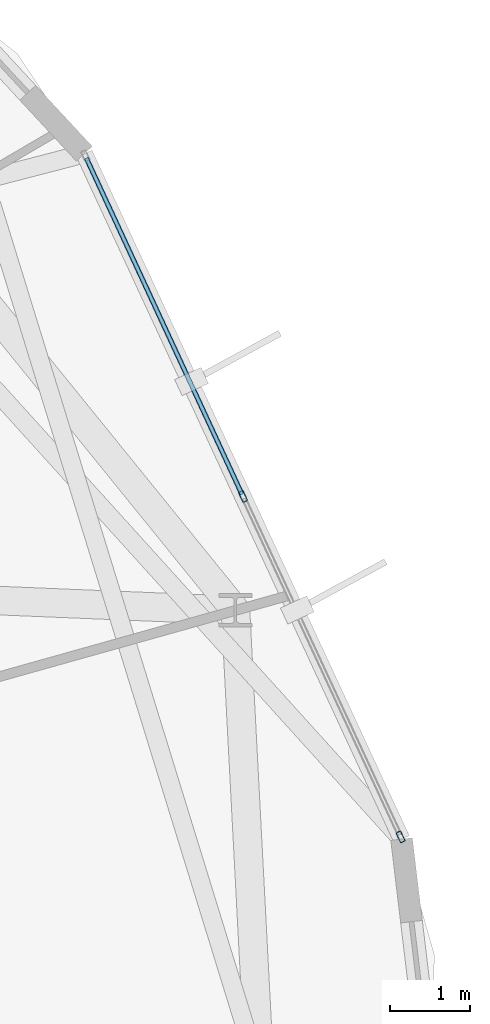
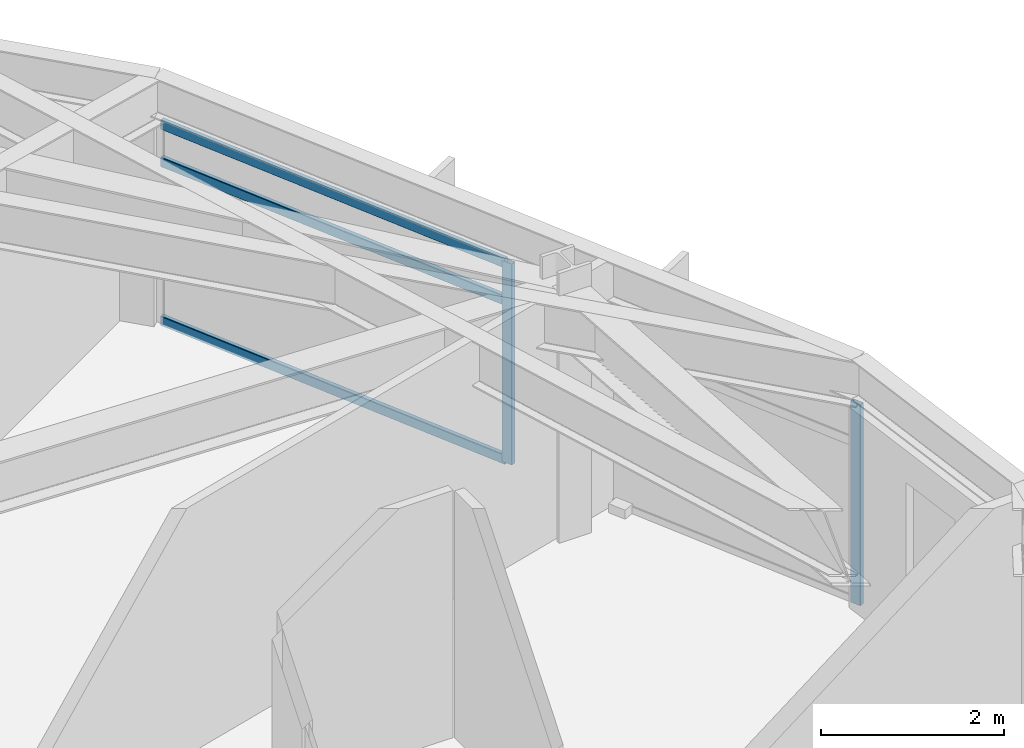
# One storey, part 11 of 25: 5 members, 1 element without a shape of its own.
"""IFC4 building model written with IfcOpenShell, lengths in metres."""

import ifcopenshell
import ifcopenshell.guid

model = None  # the IFC model being written
_history = None  # IfcOwnerHistory: only IFC2X3 demands one
_inside = {}  # id of a spatial element -> (the spatial element, [elements in it])
_under = {}  # id of a project, library or spatial element -> (it, [spatial elements below it])
_declared = {}  # id of a project -> (the project, [libraries it declares])
_typed = {}  # id of a type object -> (the type object, [elements of that type])
_made_of = {}  # id of a material, layer set ... -> (it, [elements and type objects made of it])


def new_model(schema):
    """Start an empty IFC model of exactly this schema.

    Asked for "IFC4X3", IfcOpenShell would pick the latest addendum, in which some entities
    have other attributes; the version numbers below select the first issue.
    IFC2X3 requires an IfcOwnerHistory on every rooted entity: one is made here for all.
    """
    global model, _history
    if schema == "IFC4X3":
        model = ifcopenshell.file(schema_version=(4, 3, 0, 0))
    else:
        model = ifcopenshell.file(schema=schema)
    _inside.clear()
    _under.clear()
    _declared.clear()
    _typed.clear()
    _made_of.clear()
    _history = None
    if model.schema == "IFC2X3":
        org = make("IfcOrganization", Name="unknown")
        user = make(
            "IfcPersonAndOrganization",
            ThePerson=make("IfcPerson", FamilyName="unknown"),
            TheOrganization=org,
        )
        app = make(
            "IfcApplication",
            ApplicationDeveloper=org,
            Version="unknown",
            ApplicationFullName="unknown",
            ApplicationIdentifier="unknown",
        )
        _history = make(
            "IfcOwnerHistory",
            OwningUser=user,
            OwningApplication=app,
            ChangeAction="ADDED",
            CreationDate=0,
        )
    return model


def make(cls, **values):
    """One entity of the class cls with the attributes given. An attribute that is None is left unset."""
    return model.create_entity(
        cls, **{name: value for name, value in values.items() if value is not None}
    )


def rooted(cls, **values):
    """An entity with a GlobalId (a new one), such as an element, a storey or a relation."""
    return make(cls, GlobalId=ifcopenshell.guid.new(), OwnerHistory=_history, **values)


def si_unit(unit_type, name, prefix=None):
    """IfcSIUnit, for example si_unit("LENGTHUNIT", "METRE", prefix="MILLI")."""
    return make("IfcSIUnit", UnitType=unit_type, Prefix=prefix, Name=name)


def assignment(units):
    """IfcUnitAssignment: the units of a project."""
    return None if units is None else make("IfcUnitAssignment", Units=units)


def point(xyz):
    """IfcCartesianPoint."""
    return None if xyz is None else make("IfcCartesianPoint", Coordinates=xyz)


def direction(xyz):
    """IfcDirection."""
    return None if xyz is None else make("IfcDirection", DirectionRatios=xyz)


def frame(location, z_axis=None, x_axis=None):
    """IfcAxis2Placement3D, a coordinate frame: its origin and axes. An axis left out is left unset."""
    return make(
        "IfcAxis2Placement3D",
        Location=point(location),
        Axis=direction(z_axis),
        RefDirection=direction(x_axis),
    )


def frame_2d(location, x_axis=None):
    """IfcAxis2Placement2D, a coordinate frame in the plane: its origin and x axis."""
    return make(
        "IfcAxis2Placement2D", Location=point(location), RefDirection=direction(x_axis)
    )


def origin():
    """The frame at (0, 0, 0) with its axes left unset."""
    return frame((0.0, 0.0, 0.0))


def origin_2d():
    """The frame at (0, 0) in the plane with its x axis left unset."""
    return frame_2d((0.0, 0.0))


def place(relative_to, where):
    """IfcLocalPlacement: puts the frame where relative to a parent placement (None: the world)."""
    return make(
        "IfcLocalPlacement", PlacementRelTo=relative_to, RelativePlacement=where
    )


def context(
    kind, dimensions, precision=None, world=None, true_north=None, identifier=None
):
    """IfcGeometricRepresentationContext, for example the 3D "Model" context."""
    return make(
        "IfcGeometricRepresentationContext",
        ContextIdentifier=identifier,
        ContextType=kind,
        CoordinateSpaceDimension=dimensions,
        Precision=precision,
        WorldCoordinateSystem=world,
        TrueNorth=true_north,
    )


def subcontext(parent, identifier, kind, view, scale=None):
    """IfcGeometricRepresentationSubContext, for example "Body" below "Model"."""
    return make(
        "IfcGeometricRepresentationSubContext",
        ContextIdentifier=identifier,
        ContextType=kind,
        ParentContext=parent,
        TargetScale=scale,
        TargetView=view,
    )


def project(units=None, contexts=None):
    """IfcProject with its units and contexts."""
    return rooted(
        "IfcProject",
        Name="project",
        RepresentationContexts=contexts,
        UnitsInContext=assignment(units),
    )


def spatial(cls, under=None, at=None, **own):
    """A site, building, storey or space (cls), placed at a placement, below another one or the project."""
    s = rooted(cls, ObjectPlacement=at, **own)
    if under is not None:
        _under.setdefault(under.id(), (under, []))[1].append(s)
    return s


def profile(cls, at=None, kind="AREA", **sizes):
    """A parametric profile (cls). Its sizes go by their IFC names, for example OverallWidth=200.0."""
    return make(cls, ProfileType=kind, Position=at, **sizes)


def hollow_rectangle(**sizes):
    """IfcRectangleHollowProfileDef."""
    return profile("IfcRectangleHollowProfileDef", **sizes)


def extrude(swept, where, along, depth):
    """IfcExtrudedAreaSolid: the profile swept, set in the frame where, extruded along a direction by depth."""
    return make(
        "IfcExtrudedAreaSolid",
        SweptArea=swept,
        Position=where,
        ExtrudedDirection=direction(along),
        Depth=depth,
    )


def shape(context_of_items, identifier, shape_type, items):
    """IfcShapeRepresentation: the items that make up one representation, for example the "Body"."""
    return make(
        "IfcShapeRepresentation",
        ContextOfItems=context_of_items,
        RepresentationIdentifier=identifier,
        RepresentationType=shape_type,
        Items=items,
    )


def material(Name=None, Category=None):
    """IfcMaterial."""
    return make("IfcMaterial", Name=Name, Category=Category)


def layer(
    of_material, thickness, ventilated=None, Name=None, Category=None, Priority=None
):
    """IfcMaterialLayer: one layer of a wall or slab, of a material (None: an air gap)."""
    return make(
        "IfcMaterialLayer",
        Material=of_material,
        LayerThickness=thickness,
        IsVentilated=ventilated,
        Name=Name,
        Category=Category,
        Priority=Priority,
    )


def layer_set(layers, Name=None):
    """IfcMaterialLayerSet."""
    return make("IfcMaterialLayerSet", MaterialLayers=layers, LayerSetName=Name)


def material_profile(
    of_material, cross_section, Name=None, Category=None, Priority=None
):
    """IfcMaterialProfile: a cross section and its material."""
    return make(
        "IfcMaterialProfile",
        Name=Name,
        Material=of_material,
        Profile=cross_section,
        Priority=Priority,
        Category=Category,
    )


def profile_set(profiles, Name=None, composite=None):
    """IfcMaterialProfileSet."""
    return make(
        "IfcMaterialProfileSet",
        Name=Name,
        MaterialProfiles=profiles,
        CompositeProfile=composite,
    )


def made_of(thing, what):
    """Note that an element or type object is made of a material, layer set ...; save() writes the relation."""
    if what is not None:
        _made_of.setdefault(what.id(), (what, []))[1].append(thing)
    return thing


def type_object(cls, material=None, **own):
    """A type object (cls), such as IfcWallType, which elements share."""
    return made_of(rooted(cls, **own), material)


def element(
    cls,
    number,
    at=None,
    inside=None,
    cuts=None,
    type_object=None,
    material=None,
    context=None,
    identifier="Body",
    shape_type=None,
    held_by="IfcProductDefinitionShape",
    body=None,
    shapes=None,
    **own,
):
    """One element of the class cls, such as IfcWall. Its Tag is "e" and its number.

    at: its placement. inside: the storey or other place that contains it. cuts: it is an
    opening in that element (IfcRelVoidsElement). A single representation is given by context,
    identifier, shape_type and body (its items); several are given by shapes. held_by: the class
    of the entity that holds the representations. save() writes the other relations.
    """
    e = rooted(cls, Tag="e%d" % number, ObjectPlacement=at, **own)
    if body is not None:
        shapes = [shape(context, identifier, shape_type, body)]
    if shapes is not None:
        e.Representation = make(held_by, Representations=shapes)
    if inside is not None:
        _inside.setdefault(inside.id(), (inside, []))[1].append(e)
    if cuts is not None:
        rooted(
            "IfcRelVoidsElement", RelatingBuildingElement=cuts, RelatedOpeningElement=e
        )
    if type_object is not None:
        _typed.setdefault(type_object.id(), (type_object, []))[1].append(e)
    return made_of(e, material)


def aggregate(whole, parts):
    """IfcRelAggregates: a whole, such as a stair, and the parts it consists of."""
    return rooted("IfcRelAggregates", RelatingObject=whole, RelatedObjects=parts)


def save(model, path):
    """Write the relations noted so far, then the file.

    IfcRelAggregates (storeys below a building ...), IfcRelContainedInSpatialStructure (elements
    in a storey), IfcRelDefinesByType, IfcRelAssociatesMaterial and IfcRelDeclares: one each for
    every whole, place, type object, material and project.
    """
    for whole, parts in _under.values():
        aggregate(whole, parts)
    for where, things in _inside.values():
        rooted(
            "IfcRelContainedInSpatialStructure",
            RelatedElements=things,
            RelatingStructure=where,
        )
    for kind, things in _typed.values():
        rooted("IfcRelDefinesByType", RelatedObjects=things, RelatingType=kind)
    for what, things in _made_of.values():
        rooted("IfcRelAssociatesMaterial", RelatedObjects=things, RelatingMaterial=what)
    for by, libraries in _declared.values():
        rooted("IfcRelDeclares", RelatingContext=by, RelatedDefinitions=libraries)
    model.write(path)


model = new_model("IFC4")

# Units and contexts
model_context = context("Model", 3, precision=1e-05, world=origin(), true_north=direction((0.0, 1.0)))
body_context = subcontext(model_context, "Body", "Model", "MODEL_VIEW")
ifc_project = project(units=[si_unit("LENGTHUNIT", "METRE"), si_unit("AREAUNIT", "SQUARE_METRE"), si_unit("VOLUMEUNIT", "CUBIC_METRE"), si_unit("PLANEANGLEUNIT", "RADIAN"), si_unit("MASSUNIT", "GRAM", prefix="KILO")], contexts=[model_context])

# Site, building, storey
site_placement = place(None, origin())
site = spatial("IfcSite", under=ifc_project, at=site_placement, CompositionType="ELEMENT")
building_placement = place(site_placement, origin())
building = spatial("IfcBuilding", under=site, at=building_placement, Name="Soratama Intermodal Tower", CompositionType="ELEMENT")
storey_placement = place(building_placement, frame((0.0, 0.0, 190.60009765625)))
storey = spatial("IfcBuildingStorey", under=building, at=storey_placement, Name="L47", CompositionType="ELEMENT", Elevation=190.60009765625)

# Curtain wall, members
ifc_material_1 = material(Name="Double-glazed aluminium curtain wall", Category="aluminium")
ifc_layer = layer(ifc_material_1, 0.159912109375)
ifc_layer_set = layer_set([ifc_layer], Name="Double-glazed aluminium curtain wall")
curtain_wall_type = type_object("IfcCurtainWallType", Name="CW-SYS-5", PredefinedType="NOTDEFINED", material=ifc_layer_set)
curtain_wall_placement = place(storey_placement, origin())
curtain_wall = element("IfcCurtainWall", 1, at=curtain_wall_placement, inside=storey, type_object=curtain_wall_type, Name="L47 Faceted Curtain Wall F10", PredefinedType="NOTDEFINED")
ifc_material_2 = material(Name="Anodised aluminium AA 6063-T6", Category="aluminium")
ifc_material_profile_1 = material_profile(ifc_material_2, hollow_rectangle(XDim=0.06494140625, YDim=0.139892578125, WallThickness=0.0048828125, InnerFilletRadius=0.0048828125, OuterFilletRadius=0.010009765625, at=origin_2d()), Name="CWM140X65X5")
ifc_profile_set_1 = profile_set([ifc_material_profile_1], Name="Anodised aluminium AA 6063-T6")
member_type_1 = type_object("IfcMemberType", Name="MT-CWM-5", PredefinedType="MULLION", material=ifc_profile_set_1)
member_1_placement = place(storey_placement, frame((64.416015625, 28.8515625, 0.0), z_axis=(0.0, 0.0, 1.0), x_axis=(-0.907481505126, -0.42009203498, 0.0)))
member_1 = element("IfcMember", 2, at=member_1_placement, type_object=member_type_1, Name="CW-5 mullion 1", PredefinedType="MULLION", context=body_context, shape_type="SweptSolid", body=[
    extrude(hollow_rectangle(XDim=0.06494140625, YDim=0.139892578125, WallThickness=0.0048828125, InnerFilletRadius=0.0048828125, OuterFilletRadius=0.010009765625, at=origin_2d()), origin(), (0.0, 0.0, 1.0), 2.678955078125),
])
member_2_placement = place(storey_placement, frame((62.4580078125, 33.08154296875, 0.0), z_axis=(0.0, 0.0, 1.0), x_axis=(-0.907481505126, -0.42009203498, 0.0)))
member_2 = element("IfcMember", 3, at=member_2_placement, type_object=member_type_1, Name="CW-5 mullion 2", PredefinedType="MULLION", context=body_context, shape_type="SweptSolid", body=[
    extrude(hollow_rectangle(XDim=0.06494140625, YDim=0.139892578125, WallThickness=0.0048828125, InnerFilletRadius=0.0048828125, OuterFilletRadius=0.010009765625, at=origin_2d()), origin(), (0.0, 0.0, 1.0), 2.678955078125),
])
ifc_material_3 = material(Name="Anodised aluminium AA 6063-T6", Category="aluminium")
ifc_material_profile_2 = material_profile(ifc_material_3, hollow_rectangle(XDim=0.06005859375, YDim=0.1298828125, WallThickness=0.0048828125, InnerFilletRadius=0.0048828125, OuterFilletRadius=0.010009765625, at=origin_2d()), Name="CWT130X60X5")
ifc_profile_set_2 = profile_set([ifc_material_profile_2], Name="Anodised aluminium AA 6063-T6")
member_type_2 = type_object("IfcMemberType", Name="TT-CWT-2", PredefinedType="USERDEFINED", material=ifc_profile_set_2)
member_3_placement = place(storey_placement, frame((62.4453125, 33.108642578125, 0.02978515625), z_axis=(-0.42007744522, 0.907488258887, 0.0), x_axis=(-0.907488258887, -0.42007744522, 0.0)))
member_3 = element("IfcMember", 4, at=member_3_placement, type_object=member_type_2, Name="CW-5 transom 2.1", ObjectType="TRANSOM", PredefinedType="USERDEFINED", context=body_context, shape_type="SweptSolid", body=[
    extrude(hollow_rectangle(XDim=0.06005859375, YDim=0.1298828125, WallThickness=0.0048828125, InnerFilletRadius=0.0048828125, OuterFilletRadius=0.010009765625, at=origin_2d()), origin(), (0.0, 0.0, 1.0), 4.601318359375),
])
member_4_placement = place(storey_placement, frame((62.4453125, 33.108642578125, 2.14990234375), z_axis=(-0.42007744522, 0.907488258887, 0.0), x_axis=(-0.907488258887, -0.42007744522, 0.0)))
member_4 = element("IfcMember", 5, at=member_4_placement, type_object=member_type_2, Name="CW-5 transom 2.2", ObjectType="TRANSOM", PredefinedType="USERDEFINED", context=body_context, shape_type="SweptSolid", body=[
    extrude(hollow_rectangle(XDim=0.06005859375, YDim=0.1298828125, WallThickness=0.0048828125, InnerFilletRadius=0.0048828125, OuterFilletRadius=0.010009765625, at=origin_2d()), origin(), (0.0, 0.0, 1.0), 4.601318359375),
])
member_5_placement = place(storey_placement, frame((62.4453125, 33.108642578125, 2.64892578125), z_axis=(-0.42007744522, 0.907488258887, 0.0), x_axis=(-0.907488258887, -0.42007744522, 0.0)))
member_5 = element("IfcMember", 6, at=member_5_placement, type_object=member_type_2, Name="CW-5 transom 2.3", ObjectType="TRANSOM", PredefinedType="USERDEFINED", context=body_context, shape_type="SweptSolid", body=[
    extrude(hollow_rectangle(XDim=0.06005859375, YDim=0.1298828125, WallThickness=0.0048828125, InnerFilletRadius=0.0048828125, OuterFilletRadius=0.010009765625, at=origin_2d()), origin(), (0.0, 0.0, 1.0), 4.601318359375),
])
aggregate(curtain_wall, [member_1, member_2, member_3, member_4, member_5])

save(model, "model.ifc")
